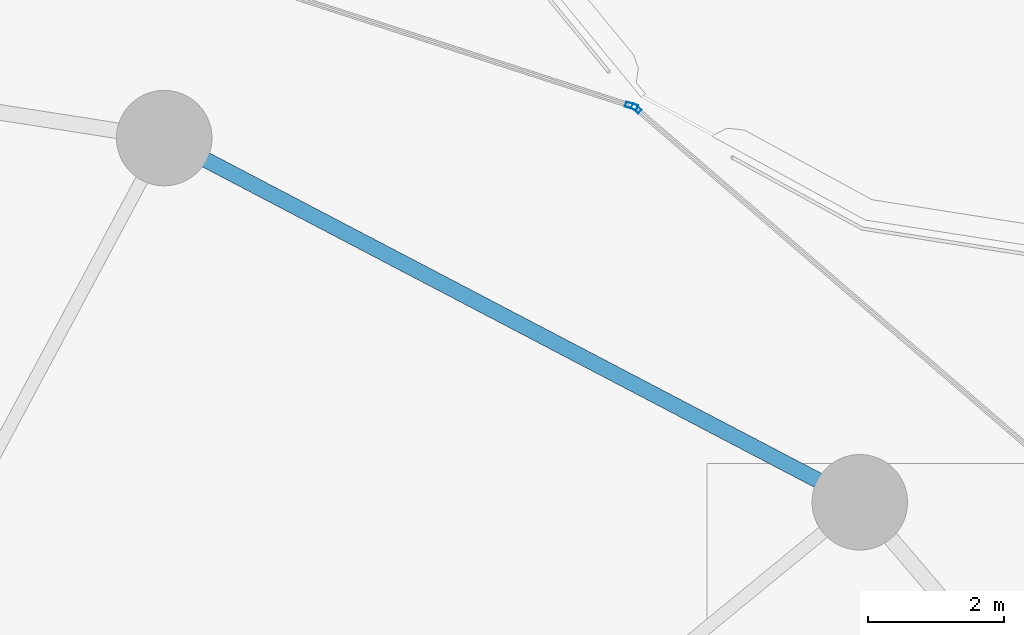
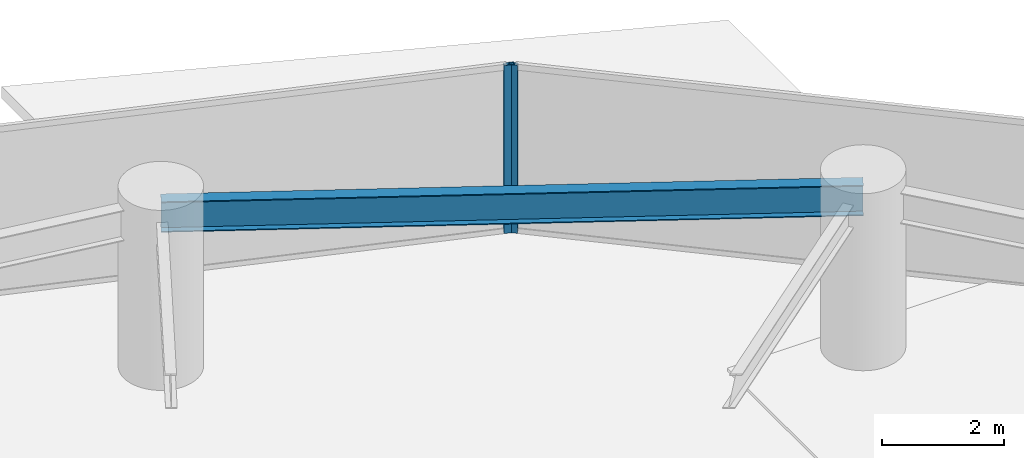
# One storey, part 21 of 32: 2 members, 1 beam, 2 elements without a shape of their own.
"""IFC4 building model written with IfcOpenShell, lengths in metres."""

from ifc_helpers import new_model, si_unit, direction, frame, origin, origin_2d, place, context, subcontext, project, spatial, hollow_rectangle, i_section, extrude, material, layer, layer_set, material_profile, profile_set, type_object, element, aggregate, save


model = new_model("IFC4")

# Units and contexts
model_context = context("Model", 3, precision=1e-05, world=origin(), true_north=direction((0.0, 1.0)))
body_context = subcontext(model_context, "Body", "Model", "MODEL_VIEW")
ifc_project = project(units=[si_unit("LENGTHUNIT", "METRE"), si_unit("AREAUNIT", "SQUARE_METRE"), si_unit("VOLUMEUNIT", "CUBIC_METRE"), si_unit("PLANEANGLEUNIT", "RADIAN"), si_unit("MASSUNIT", "GRAM", prefix="KILO")], contexts=[model_context])

# Site, building, storey
site_placement = place(None, origin())
site = spatial("IfcSite", under=ifc_project, at=site_placement, CompositionType="ELEMENT")
building_placement = place(site_placement, origin())
building = spatial("IfcBuilding", under=site, at=building_placement, Name="Kazevale Care Tower and Concert Hall", CompositionType="ELEMENT")
storey_placement = place(building_placement, frame((0.0, 0.0, 24.0)))
storey = spatial("IfcBuildingStorey", under=building, at=storey_placement, Name="L05", CompositionType="ELEMENT", Elevation=24.0)

# Curtain wall, member
ifc_material_1 = material(Name="Aluminium 6063-T6 and Low-E Glass", Category="aluminium")
ifc_layer_1 = layer(ifc_material_1, 0.179931640625)
ifc_layer_set_1 = layer_set([ifc_layer_1], Name="Aluminium 6063-T6 and Low-E Glass")
curtain_wall_type_1 = type_object("IfcCurtainWallType", Name="Convex Checkerboard Finned Curtain Wall CW-2", PredefinedType="NOTDEFINED", material=ifc_layer_set_1)
curtain_wall_1_placement = place(storey_placement, origin())
curtain_wall_1 = element("IfcCurtainWall", 1, at=curtain_wall_1_placement, inside=storey, type_object=curtain_wall_type_1, Name="cw:L05:f16", PredefinedType="NOTDEFINED")
ifc_material_2 = material(Name="Aluminium 6063-T6", Category="aluminium")
ifc_material_profile_1 = material_profile(ifc_material_2, hollow_rectangle(XDim=0.080078125, YDim=0.179931640625, WallThickness=0.0048828125, at=origin_2d()), Name="ALU80x180x5")
ifc_profile_set_1 = profile_set([ifc_material_profile_1], Name="Aluminium 6063-T6")
member_type_1 = type_object("IfcMemberType", Name="CW-2 Mullion ALU80x180x5", PredefinedType="MULLION", material=ifc_profile_set_1)
member_1_placement = place(storey_placement, frame((63.891845703125, 61.240234375, 0.0), z_axis=(0.0, 0.0, 1.0), x_axis=(0.307925769029, 0.951410385043, 0.0)))
member_1 = element("IfcMember", 2, at=member_1_placement, type_object=member_type_1, Name="CW-2 mullion 2", PredefinedType="MULLION", context=body_context, shape_type="SweptSolid", body=[
    extrude(hollow_rectangle(XDim=0.080078125, YDim=0.179931640625, WallThickness=0.0048828125, at=origin_2d()), origin(), (0.0, 0.0, 1.0), 3.360107421875),
])
aggregate(curtain_wall_1, [member_1])

ifc_layer_2 = layer(ifc_material_1, 0.179931640625)
ifc_layer_set_2 = layer_set([ifc_layer_2], Name="Aluminium 6063-T6 and Low-E Glass")
curtain_wall_type_2 = type_object("IfcCurtainWallType", Name="Convex Recessed Sunroom Curtain Wall CW-3", PredefinedType="NOTDEFINED", material=ifc_layer_set_2)
curtain_wall_2_placement = place(storey_placement, origin())
curtain_wall_2 = element("IfcCurtainWall", 3, at=curtain_wall_2_placement, inside=storey, type_object=curtain_wall_type_2, Name="cw:L05:f17", PredefinedType="NOTDEFINED")
ifc_material_profile_2 = material_profile(ifc_material_2, hollow_rectangle(XDim=0.074951171875, YDim=0.14990234375, WallThickness=0.00390625, at=origin_2d()), Name="ALU75x150x4")
ifc_profile_set_2 = profile_set([ifc_material_profile_2], Name="Aluminium 6063-T6")
member_type_2 = type_object("IfcMemberType", Name="CW-3 Mullion ALU75x150x4", PredefinedType="MULLION", material=ifc_profile_set_2)
member_2_placement = place(storey_placement, frame((63.95849609375, 61.20361328125, 0.0), z_axis=(0.0, 0.0, 1.0), x_axis=(0.653183596561, 0.757199570248, 0.0)))
member_2 = element("IfcMember", 4, at=member_2_placement, type_object=member_type_2, Name="CW-3 mullion 1", PredefinedType="MULLION", context=body_context, shape_type="SweptSolid", body=[
    extrude(hollow_rectangle(XDim=0.074951171875, YDim=0.14990234375, WallThickness=0.00390625, at=origin_2d()), origin(), (0.0, 0.0, 1.0), 3.360107421875),
])
aggregate(curtain_wall_2, [member_2])

# Beam
ifc_material_3 = material(Name="Steel ASTM A572 Gr 50", Category="steel")
ifc_material_profile_3 = material_profile(ifc_material_3, i_section(OverallWidth=0.22900390625, OverallDepth=0.612060546875, WebThickness=0.011962890625, FlangeThickness=0.01953125, at=origin_2d()), Name="W610x125")
ifc_profile_set_3 = profile_set([ifc_material_profile_3], Name="Steel ASTM A572 Gr 50")
beam_type = type_object("IfcBeamType", Name="Ring Spandrel Beam W610x125", PredefinedType="SPANDREL", material=ifc_profile_set_3)
beam_placement = place(storey_placement, frame((67.239990234375, 55.429931640625, 3.053955078125), z_axis=(-0.885929466679, 0.463819986708, 0.0), x_axis=(-0.463819986708, -0.885929466679, 0.0)))
element("IfcBeam", 5, at=beam_placement, inside=storey, type_object=beam_type, Name="beam:L05:ring:03", PredefinedType="SPANDREL", context=body_context, shape_type="SweptSolid", body=[
    extrude(i_section(OverallWidth=0.22900390625, OverallDepth=0.612060546875, WebThickness=0.011962890625, FlangeThickness=0.01953125, at=origin_2d()), origin(), (0.0, 0.0, 1.0), 11.51318359375),
])

save(model, "model.ifc")
